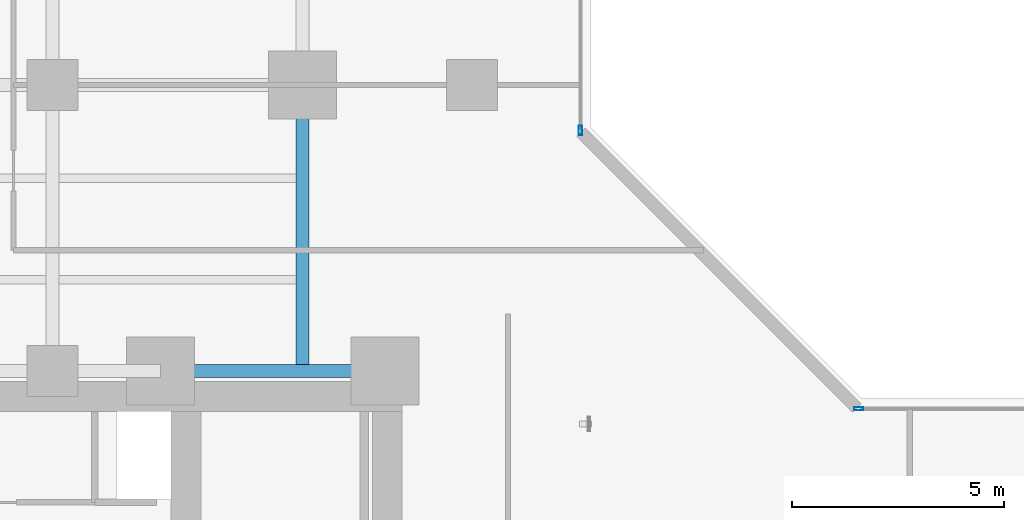
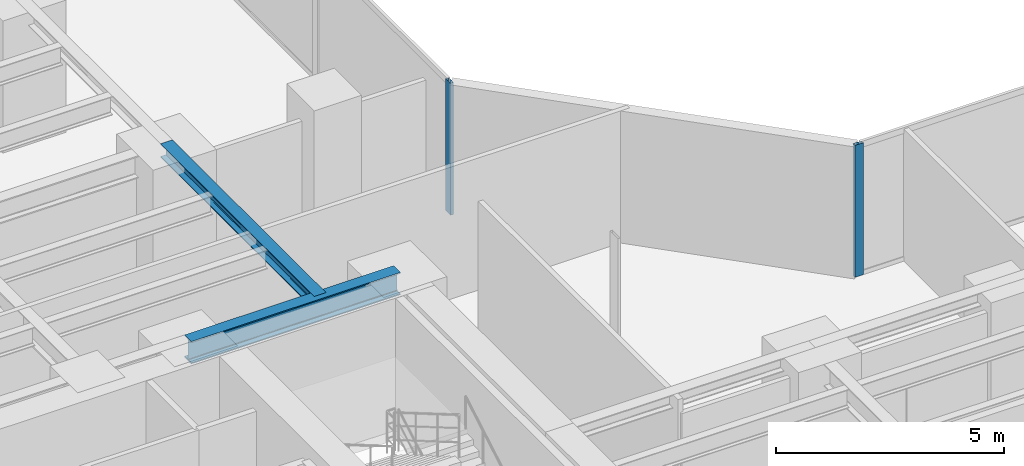
# One storey, part 8 of 27: 2 beams, 2 members, 2 elements without a shape of their own.
"""IFC4 building model written with IfcOpenShell, lengths in metres."""

from ifc_helpers import new_model, si_unit, direction, frame, origin, origin_with_axes, origin_2d, place, context, subcontext, project, spatial, hollow_rectangle, i_section, extrude, source, transform, mapped, material, layer, layer_set, material_profile, profile_set, type_object, element, aggregate, save


model = new_model("IFC4")

# Units and contexts
model_context = context("Model", 3, precision=1e-05, world=origin(), true_north=direction((0.0, 1.0)))
body_context = subcontext(model_context, "Body", "Model", "MODEL_VIEW")
ifc_project = project(units=[si_unit("LENGTHUNIT", "METRE"), si_unit("AREAUNIT", "SQUARE_METRE"), si_unit("VOLUMEUNIT", "CUBIC_METRE"), si_unit("PLANEANGLEUNIT", "RADIAN"), si_unit("MASSUNIT", "GRAM", prefix="KILO")], contexts=[model_context])

# Site, building, storey
site_placement = place(None, origin())
site = spatial("IfcSite", under=ifc_project, at=site_placement, CompositionType="ELEMENT")
building_placement = place(site_placement, origin())
building = spatial("IfcBuilding", under=site, at=building_placement, Name="Kolvaren Waterfront Exchange", CompositionType="ELEMENT")
storey_placement = place(building_placement, frame((0.0, 0.0, 33.39990234375)))
storey = spatial("IfcBuildingStorey", under=building, at=storey_placement, Name="L08", CompositionType="ELEMENT", Elevation=33.39990234375)

# Beams
ifc_material_1 = material(Name="Steel S355", Category="steel")
ifc_material_profile_1 = material_profile(ifc_material_1, i_section(OverallWidth=0.300048828125, OverallDepth=0.360107421875, WebThickness=0.012451171875, FlangeThickness=0.0224609375, FilletRadius=0.027099609375, at=origin_2d()), Name="HEB360")
ifc_profile_set_1 = profile_set([ifc_material_profile_1], Name="Steel S355")
beam_type_1 = type_object("IfcBeamType", Name="STR-BM-HEB360", PredefinedType="SPANDREL", material=ifc_profile_set_1)
beam_1_placement = place(storey_placement, frame((18.800048828125, 24.449951171875, 3.360107421875), z_axis=(0.0, 1.0, 0.0), x_axis=(-1.0, 0.0, 0.0)))
element("IfcBeam", 1, at=beam_1_placement, inside=storey, type_object=beam_type_1, Name="L08 north-arm edge beam 1", PredefinedType="SPANDREL", context=body_context, shape_type="SweptSolid", body=[
    extrude(i_section(OverallWidth=0.300048828125, OverallDepth=0.360107421875, WebThickness=0.012451171875, FlangeThickness=0.0224609375, FilletRadius=0.027099609375, at=origin_2d()), origin(), (0.0, 0.0, 1.0), 6.75),
])
ifc_material_profile_2 = material_profile(ifc_material_1, i_section(OverallWidth=0.300048828125, OverallDepth=0.60009765625, WebThickness=0.015380859375, FlangeThickness=0.030029296875, FilletRadius=0.027099609375, at=origin_2d()), Name="HEB600")
ifc_profile_set_2 = profile_set([ifc_material_profile_2], Name="Steel S355")
beam_type_2 = type_object("IfcBeamType", Name="STR-BM-HEB600", PredefinedType="BEAM", material=ifc_profile_set_2)
beam_2_placement = place(storey_placement, frame((15.449951171875, 24.449951171875, 3.239990234375), z_axis=(1.0, 0.0, 0.0), x_axis=(0.0, 1.0, 0.0)))
element("IfcBeam", 2, at=beam_2_placement, inside=storey, type_object=beam_type_2, Name="L08 north-arm girder 1C", PredefinedType="BEAM", context=body_context, shape_type="SweptSolid", body=[
    extrude(i_section(OverallWidth=0.300048828125, OverallDepth=0.60009765625, WebThickness=0.015380859375, FlangeThickness=0.030029296875, FilletRadius=0.027099609375, at=origin_2d()), origin(), (0.0, 0.0, 1.0), 5.300048828125),
])

# Curtain wall, member
ifc_material_2 = material(Name="Anodised bronze aluminium 6063-T6", Category="aluminium")
ifc_layer = layer(ifc_material_2, 0.219970703125, Name="Anodised bronze aluminium 6063-T6")
ifc_layer_set = layer_set([ifc_layer], Name="Anodised bronze aluminium 6063-T6")
curtain_wall_type = type_object("IfcCurtainWallType", Name="ARC-CW-SYS1", PredefinedType="USERDEFINED", material=ifc_layer_set)
curtain_wall_1_placement = place(storey_placement, origin())
curtain_wall_1 = element("IfcCurtainWall", 3, at=curtain_wall_1_placement, inside=storey, type_object=curtain_wall_type, Name="L08 stick curtain wall CW1 (CW-L08-NE)", ObjectType="STICK CURTAIN WALL", PredefinedType="USERDEFINED")
ifc_material_3 = material(Name="Anodised aluminium 6063-T6", Category="aluminium")
ifc_material_profile_3 = material_profile(ifc_material_3, hollow_rectangle(XDim=0.080078125, YDim=0.219970703125, WallThickness=0.0048828125, at=origin_2d()), Name="ALU-MUL-220x80x5")
ifc_profile_set_3 = profile_set([ifc_material_profile_3], Name="Anodised aluminium 6063-T6")
member_type = type_object("IfcMemberType", Name="ARC-CWM-220", PredefinedType="MULLION", material=ifc_profile_set_3)
shared_shape = source(origin_with_axes(), body_context, "Body", "SweptSolid", [
    extrude(hollow_rectangle(XDim=0.080078125, YDim=0.219970703125, WallThickness=0.0048828125, at=origin_2d()), origin(), (0.0, 0.0, 1.0), 3.5400390625),
])
member_1_placement = place(storey_placement, frame((25.360107421875, 30.1298828125, 0.0), z_axis=(0.0, 0.0, 1.0), x_axis=(-1.0, 0.0, 0.0)))
member_1 = element("IfcMember", 4, at=member_1_placement, type_object=member_type, Name="CW1 mullion 1", PredefinedType="MULLION", context=body_context, shape_type="MappedRepresentation", body=[
    mapped(shared_shape, transform((0.0, 0.0, 0.0), x_axis=(1.0, 0.0, 0.0), y_axis=(0.0, 1.0, 0.0), z_axis=(0.0, 0.0, 1.0), scale=1.0)),
])
aggregate(curtain_wall_1, [member_1])

curtain_wall_2_placement = place(storey_placement, origin())
curtain_wall_2 = element("IfcCurtainWall", 5, at=curtain_wall_2_placement, inside=storey, type_object=curtain_wall_type, Name="L08 stick curtain wall CW1 (CW-L08-EN)", ObjectType="STICK CURTAIN WALL", PredefinedType="USERDEFINED")
member_2_placement = place(storey_placement, frame((31.929931640625, 23.56005859375, 0.0), z_axis=(0.0, 0.0, 1.0), x_axis=(0.0, 1.0, 0.0)))
member_2 = element("IfcMember", 6, at=member_2_placement, type_object=member_type, Name="CW1 mullion 1", PredefinedType="MULLION", context=body_context, shape_type="MappedRepresentation", body=[
    mapped(shared_shape, transform((0.0, 0.0, 0.0), x_axis=(1.0, 0.0, 0.0), y_axis=(0.0, 1.0, 0.0), z_axis=(0.0, 0.0, 1.0), scale=1.0)),
])
aggregate(curtain_wall_2, [member_2])

save(model, "model.ifc")
